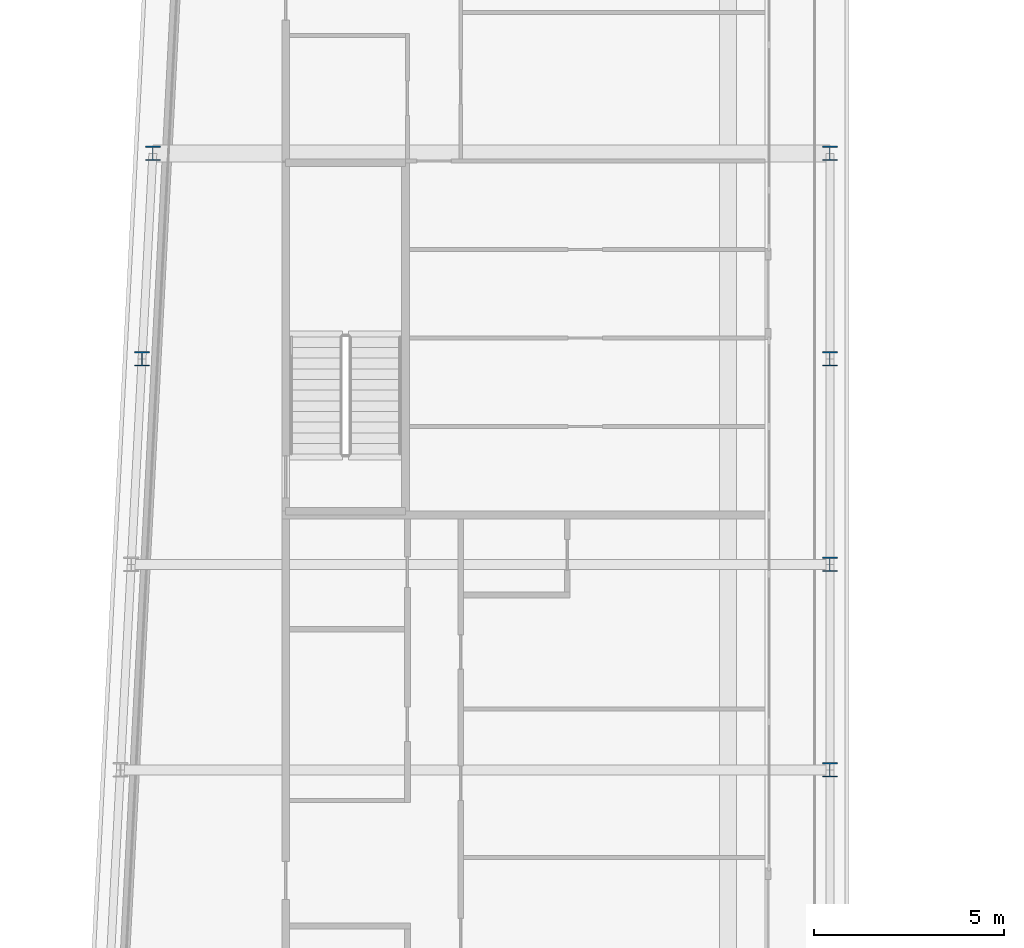
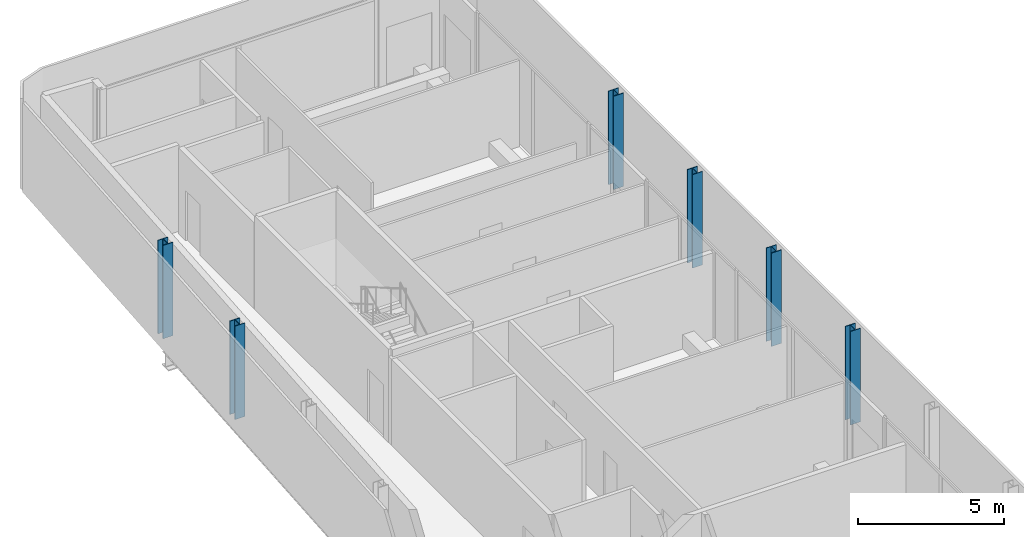
# One storey, part 4 of 21: 6 columns.
"""IFC4 building model written with IfcOpenShell, lengths in metres."""

import ifcopenshell
import ifcopenshell.guid

model = None  # the IFC model being written
_history = None  # IfcOwnerHistory: only IFC2X3 demands one
_inside = {}  # id of a spatial element -> (the spatial element, [elements in it])
_under = {}  # id of a project, library or spatial element -> (it, [spatial elements below it])
_declared = {}  # id of a project -> (the project, [libraries it declares])
_typed = {}  # id of a type object -> (the type object, [elements of that type])
_made_of = {}  # id of a material, layer set ... -> (it, [elements and type objects made of it])


def new_model(schema):
    """Start an empty IFC model of exactly this schema.

    Asked for "IFC4X3", IfcOpenShell would pick the latest addendum, in which some entities
    have other attributes; the version numbers below select the first issue.
    IFC2X3 requires an IfcOwnerHistory on every rooted entity: one is made here for all.
    """
    global model, _history
    if schema == "IFC4X3":
        model = ifcopenshell.file(schema_version=(4, 3, 0, 0))
    else:
        model = ifcopenshell.file(schema=schema)
    _inside.clear()
    _under.clear()
    _declared.clear()
    _typed.clear()
    _made_of.clear()
    _history = None
    if model.schema == "IFC2X3":
        org = make("IfcOrganization", Name="unknown")
        user = make(
            "IfcPersonAndOrganization",
            ThePerson=make("IfcPerson", FamilyName="unknown"),
            TheOrganization=org,
        )
        app = make(
            "IfcApplication",
            ApplicationDeveloper=org,
            Version="unknown",
            ApplicationFullName="unknown",
            ApplicationIdentifier="unknown",
        )
        _history = make(
            "IfcOwnerHistory",
            OwningUser=user,
            OwningApplication=app,
            ChangeAction="ADDED",
            CreationDate=0,
        )
    return model


def make(cls, **values):
    """One entity of the class cls with the attributes given. An attribute that is None is left unset."""
    return model.create_entity(
        cls, **{name: value for name, value in values.items() if value is not None}
    )


def rooted(cls, **values):
    """An entity with a GlobalId (a new one), such as an element, a storey or a relation."""
    return make(cls, GlobalId=ifcopenshell.guid.new(), OwnerHistory=_history, **values)


def si_unit(unit_type, name, prefix=None):
    """IfcSIUnit, for example si_unit("LENGTHUNIT", "METRE", prefix="MILLI")."""
    return make("IfcSIUnit", UnitType=unit_type, Prefix=prefix, Name=name)


def assignment(units):
    """IfcUnitAssignment: the units of a project."""
    return None if units is None else make("IfcUnitAssignment", Units=units)


def point(xyz):
    """IfcCartesianPoint."""
    return None if xyz is None else make("IfcCartesianPoint", Coordinates=xyz)


def direction(xyz):
    """IfcDirection."""
    return None if xyz is None else make("IfcDirection", DirectionRatios=xyz)


def frame(location, z_axis=None, x_axis=None):
    """IfcAxis2Placement3D, a coordinate frame: its origin and axes. An axis left out is left unset."""
    return make(
        "IfcAxis2Placement3D",
        Location=point(location),
        Axis=direction(z_axis),
        RefDirection=direction(x_axis),
    )


def frame_2d(location, x_axis=None):
    """IfcAxis2Placement2D, a coordinate frame in the plane: its origin and x axis."""
    return make(
        "IfcAxis2Placement2D", Location=point(location), RefDirection=direction(x_axis)
    )


def origin():
    """The frame at (0, 0, 0) with its axes left unset."""
    return frame((0.0, 0.0, 0.0))


def origin_2d():
    """The frame at (0, 0) in the plane with its x axis left unset."""
    return frame_2d((0.0, 0.0))


def place(relative_to, where):
    """IfcLocalPlacement: puts the frame where relative to a parent placement (None: the world)."""
    return make(
        "IfcLocalPlacement", PlacementRelTo=relative_to, RelativePlacement=where
    )


def context(
    kind, dimensions, precision=None, world=None, true_north=None, identifier=None
):
    """IfcGeometricRepresentationContext, for example the 3D "Model" context."""
    return make(
        "IfcGeometricRepresentationContext",
        ContextIdentifier=identifier,
        ContextType=kind,
        CoordinateSpaceDimension=dimensions,
        Precision=precision,
        WorldCoordinateSystem=world,
        TrueNorth=true_north,
    )


def subcontext(parent, identifier, kind, view, scale=None):
    """IfcGeometricRepresentationSubContext, for example "Body" below "Model"."""
    return make(
        "IfcGeometricRepresentationSubContext",
        ContextIdentifier=identifier,
        ContextType=kind,
        ParentContext=parent,
        TargetScale=scale,
        TargetView=view,
    )


def project(units=None, contexts=None):
    """IfcProject with its units and contexts."""
    return rooted(
        "IfcProject",
        Name="project",
        RepresentationContexts=contexts,
        UnitsInContext=assignment(units),
    )


def spatial(cls, under=None, at=None, **own):
    """A site, building, storey or space (cls), placed at a placement, below another one or the project."""
    s = rooted(cls, ObjectPlacement=at, **own)
    if under is not None:
        _under.setdefault(under.id(), (under, []))[1].append(s)
    return s


def profile(cls, at=None, kind="AREA", **sizes):
    """A parametric profile (cls). Its sizes go by their IFC names, for example OverallWidth=200.0."""
    return make(cls, ProfileType=kind, Position=at, **sizes)


def i_section(**sizes):
    """IfcIShapeProfileDef."""
    return profile("IfcIShapeProfileDef", **sizes)


def extrude(swept, where, along, depth):
    """IfcExtrudedAreaSolid: the profile swept, set in the frame where, extruded along a direction by depth."""
    return make(
        "IfcExtrudedAreaSolid",
        SweptArea=swept,
        Position=where,
        ExtrudedDirection=direction(along),
        Depth=depth,
    )


def shape(context_of_items, identifier, shape_type, items):
    """IfcShapeRepresentation: the items that make up one representation, for example the "Body"."""
    return make(
        "IfcShapeRepresentation",
        ContextOfItems=context_of_items,
        RepresentationIdentifier=identifier,
        RepresentationType=shape_type,
        Items=items,
    )


def material(Name=None, Category=None):
    """IfcMaterial."""
    return make("IfcMaterial", Name=Name, Category=Category)


def material_profile(
    of_material, cross_section, Name=None, Category=None, Priority=None
):
    """IfcMaterialProfile: a cross section and its material."""
    return make(
        "IfcMaterialProfile",
        Name=Name,
        Material=of_material,
        Profile=cross_section,
        Priority=Priority,
        Category=Category,
    )


def profile_set(profiles, Name=None, composite=None):
    """IfcMaterialProfileSet."""
    return make(
        "IfcMaterialProfileSet",
        Name=Name,
        MaterialProfiles=profiles,
        CompositeProfile=composite,
    )


def made_of(thing, what):
    """Note that an element or type object is made of a material, layer set ...; save() writes the relation."""
    if what is not None:
        _made_of.setdefault(what.id(), (what, []))[1].append(thing)
    return thing


def type_object(cls, material=None, **own):
    """A type object (cls), such as IfcWallType, which elements share."""
    return made_of(rooted(cls, **own), material)


def element(
    cls,
    number,
    at=None,
    inside=None,
    cuts=None,
    type_object=None,
    material=None,
    context=None,
    identifier="Body",
    shape_type=None,
    held_by="IfcProductDefinitionShape",
    body=None,
    shapes=None,
    **own,
):
    """One element of the class cls, such as IfcWall. Its Tag is "e" and its number.

    at: its placement. inside: the storey or other place that contains it. cuts: it is an
    opening in that element (IfcRelVoidsElement). A single representation is given by context,
    identifier, shape_type and body (its items); several are given by shapes. held_by: the class
    of the entity that holds the representations. save() writes the other relations.
    """
    e = rooted(cls, Tag="e%d" % number, ObjectPlacement=at, **own)
    if body is not None:
        shapes = [shape(context, identifier, shape_type, body)]
    if shapes is not None:
        e.Representation = make(held_by, Representations=shapes)
    if inside is not None:
        _inside.setdefault(inside.id(), (inside, []))[1].append(e)
    if cuts is not None:
        rooted(
            "IfcRelVoidsElement", RelatingBuildingElement=cuts, RelatedOpeningElement=e
        )
    if type_object is not None:
        _typed.setdefault(type_object.id(), (type_object, []))[1].append(e)
    return made_of(e, material)


def aggregate(whole, parts):
    """IfcRelAggregates: a whole, such as a stair, and the parts it consists of."""
    return rooted("IfcRelAggregates", RelatingObject=whole, RelatedObjects=parts)


def save(model, path):
    """Write the relations noted so far, then the file.

    IfcRelAggregates (storeys below a building ...), IfcRelContainedInSpatialStructure (elements
    in a storey), IfcRelDefinesByType, IfcRelAssociatesMaterial and IfcRelDeclares: one each for
    every whole, place, type object, material and project.
    """
    for whole, parts in _under.values():
        aggregate(whole, parts)
    for where, things in _inside.values():
        rooted(
            "IfcRelContainedInSpatialStructure",
            RelatedElements=things,
            RelatingStructure=where,
        )
    for kind, things in _typed.values():
        rooted("IfcRelDefinesByType", RelatedObjects=things, RelatingType=kind)
    for what, things in _made_of.values():
        rooted("IfcRelAssociatesMaterial", RelatedObjects=things, RelatingMaterial=what)
    for by, libraries in _declared.values():
        rooted("IfcRelDeclares", RelatingContext=by, RelatedDefinitions=libraries)
    model.write(path)


model = new_model("IFC4")

# Units and contexts
model_context = context("Model", 3, precision=1e-05, world=origin(), true_north=direction((0.0, 1.0)))
body_context = subcontext(model_context, "Body", "Model", "MODEL_VIEW")
ifc_project = project(units=[si_unit("LENGTHUNIT", "METRE"), si_unit("AREAUNIT", "SQUARE_METRE"), si_unit("VOLUMEUNIT", "CUBIC_METRE"), si_unit("PLANEANGLEUNIT", "RADIAN"), si_unit("MASSUNIT", "GRAM", prefix="KILO")], contexts=[model_context])

# Site, building, storey
site_placement = place(None, origin())
site = spatial("IfcSite", under=ifc_project, at=site_placement, CompositionType="ELEMENT")
building_placement = place(site_placement, origin())
building = spatial("IfcBuilding", under=site, at=building_placement, Name="Kheshtan School and Residences Tower", CompositionType="ELEMENT")
storey_placement = place(building_placement, frame((0.0, 0.0, 298.10009765625)))
storey = spatial("IfcBuildingStorey", under=building, at=storey_placement, Name="L70", CompositionType="ELEMENT", Elevation=298.10009765625)

# Columns
ifc_material = material(Name="Steel ASTM A992 Grade 50", Category="steel")
ifc_material_profile = material_profile(ifc_material, i_section(OverallWidth=0.39501953125, OverallDepth=0.3798828125, WebThickness=0.018798828125, FlangeThickness=0.0302734375, FilletRadius=0.011474609375, at=origin_2d()), Name="W360x237")
ifc_profile_set = profile_set([ifc_material_profile], Name="Steel ASTM A992 Grade 50")
column_type = type_object("IfcColumnType", Name="Column C5 W360x237 ASTM A992 Grade 50", PredefinedType="COLUMN", material=ifc_profile_set)
for number, where, z_axis, x_axis, name in (
    (1, (47.60009765625, 72.60009765625, 0.0), (0.0, 0.0, 1.0), (1.0, 0.0, 0.0), "Column C087"),
    (2, (47.60009765625, 78.0, 0.0), (0.0, 0.0, 1.0), (1.0, 0.0, 0.0), "Column C089"),
    (3, (29.527099609375, 83.39990234375, 0.0), (0.0, 0.0, 1.0), (1.0, 0.0, 0.0), "Column C090"),
    (4, (47.60009765625, 83.39990234375, 0.0), (0.0, 0.0, 1.0), (1.0, 0.0, 0.0), "Column C091"),
    (5, (29.81103515625, 88.800048828125, 0.0), (0.0, 0.0, 1.0), (1.0, 0.0, 0.0), "Column C098"),
    (6, (47.60009765625, 88.800048828125, 0.0), (0.0, 0.0, 1.0), (1.0, 0.0, 0.0), "Column C099"),
):
    element("IfcColumn", number, at=place(storey_placement, frame(where, z_axis=z_axis, x_axis=x_axis)), inside=storey, type_object=column_type, Name=name, PredefinedType="COLUMN", context=body_context, shape_type="SweptSolid", body=[
        extrude(i_section(OverallWidth=0.39501953125, OverallDepth=0.3798828125, WebThickness=0.018798828125, FlangeThickness=0.0302734375, FilletRadius=0.011474609375, at=origin_2d()), origin(), (0.0, 0.0, 1.0), 3.89990234375),
    ])

save(model, "model.ifc")
